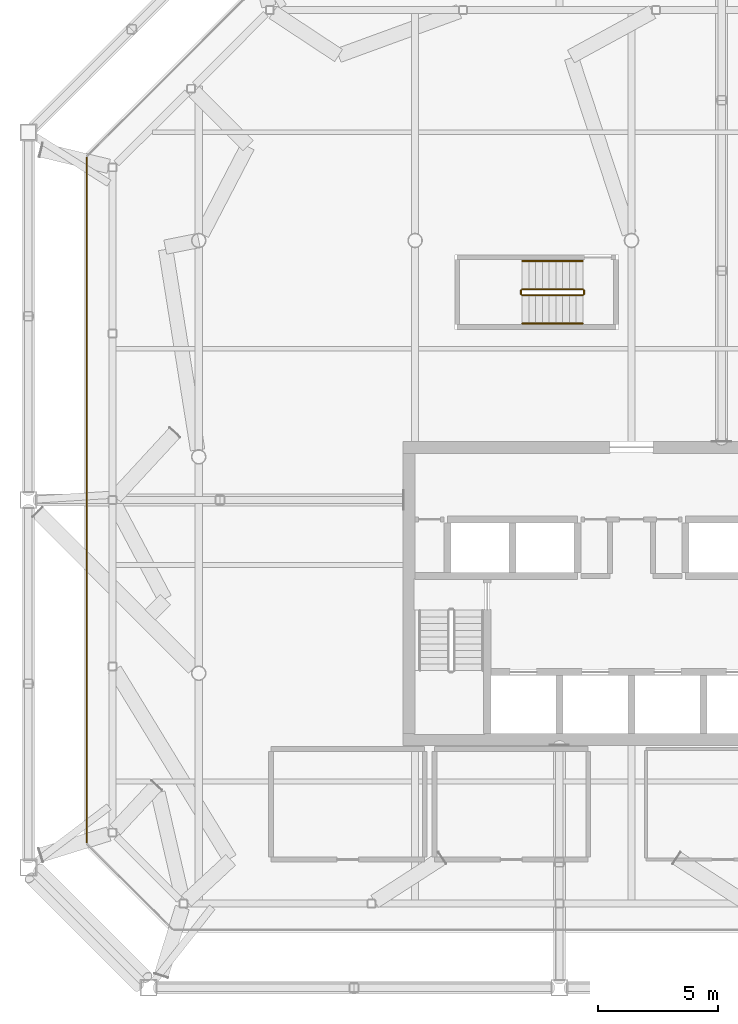
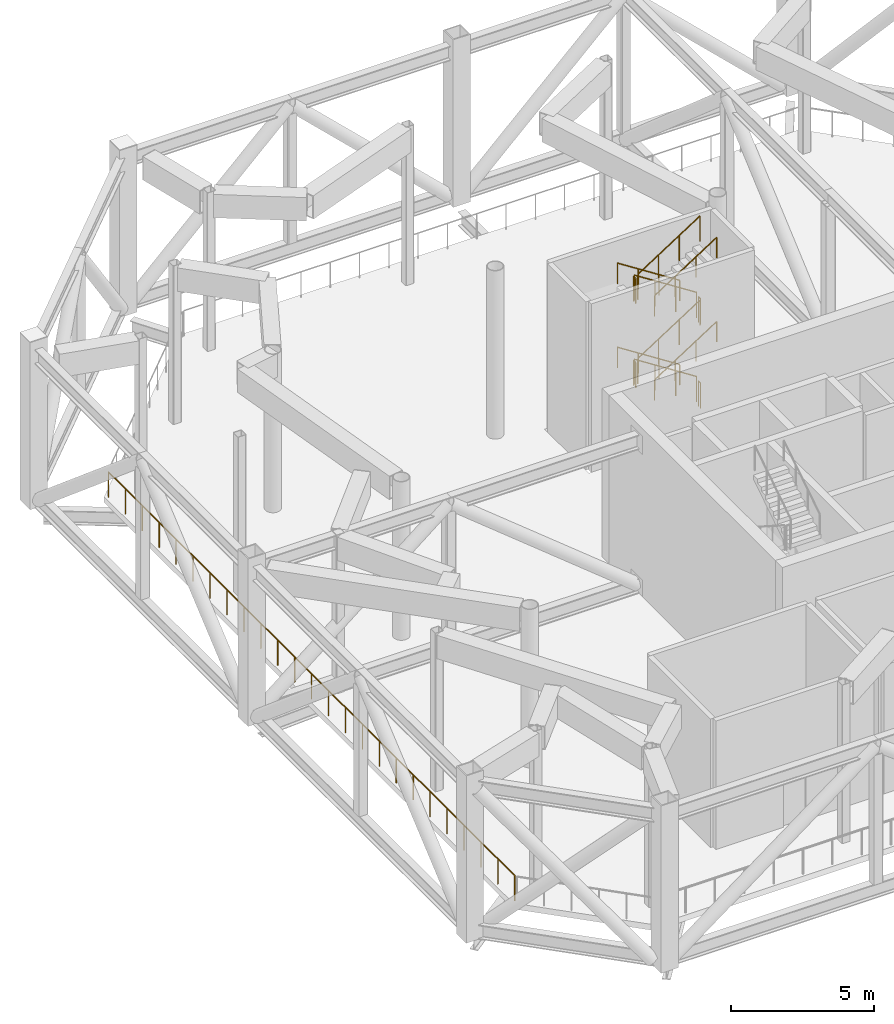
# One storey, part 15 of 17: 13 railings.
"""IFC4 building model written with IfcOpenShell, lengths in metres."""

from ifc_helpers import new_model, si_unit, direction, frame, origin, origin_2d, place, context, subcontext, project, spatial, circle, extrude, material, type_object, element, save


model = new_model("IFC4")

# Units and contexts
model_context = context("Model", 3, precision=1e-05, world=origin(), true_north=direction((0.0, 1.0)))
body_context = subcontext(model_context, "Body", "Model", "MODEL_VIEW")
ifc_project = project(units=[si_unit("LENGTHUNIT", "METRE"), si_unit("AREAUNIT", "SQUARE_METRE"), si_unit("VOLUMEUNIT", "CUBIC_METRE"), si_unit("PLANEANGLEUNIT", "RADIAN"), si_unit("MASSUNIT", "GRAM", prefix="KILO")], contexts=[model_context])

# Site, building, storey
site_placement = place(None, origin())
site = spatial("IfcSite", under=ifc_project, at=site_placement, CompositionType="ELEMENT")
building_placement = place(site_placement, origin())
building = spatial("IfcBuilding", under=site, at=building_placement, Name="Tskaro Facet Tower", CompositionType="ELEMENT")
storey_placement = place(building_placement, frame((0.0, 0.0, 210.0)))
storey = spatial("IfcBuildingStorey", under=building, at=storey_placement, Name="L54", CompositionType="ELEMENT", Elevation=210.0)

# Railings
ifc_material_1 = material(Name="Bronze anodised aluminium 6063-T6", Category="aluminium")
railing_type_1 = type_object("IfcRailingType", Name="Bronze guard rail (GD1)", PredefinedType="GUARDRAIL", material=ifc_material_1)
railing_1_placement = place(storey_placement, frame((-22.6630859375, 12.447998046875, 0.0)))
element("IfcRailing", 1, at=railing_1_placement, inside=storey, type_object=railing_type_1, Name="Guard L54", PredefinedType="GUARDRAIL", context=body_context, shape_type="SweptSolid", body=[
    extrude(circle(Radius=0.02490234375, at=origin_2d()), frame((0.0, 0.0, 1.0751953125), z_axis=(0.0, -1.0, 0.0), x_axis=(1.0, 0.0, 0.0)), (0.0, 0.0, 1.0), 28.48291015625),
    extrude(circle(Radius=0.02001953125, at=origin_2d()), origin(), (0.0, 0.0, 1.0), 1.050048828125),
    extrude(circle(Radius=0.02001953125, at=origin_2d()), frame((0.0, -1.186767578125, 0.0)), (0.0, 0.0, 1.0), 1.050048828125),
    extrude(circle(Radius=0.02001953125, at=origin_2d()), frame((0.0, -2.37353515625, 0.0)), (0.0, 0.0, 1.0), 1.050048828125),
    extrude(circle(Radius=0.02001953125, at=origin_2d()), frame((0.0, -3.560302734375, 0.0)), (0.0, 0.0, 1.0), 1.050048828125),
    extrude(circle(Radius=0.02001953125, at=origin_2d()), frame((0.0, -4.7470703125, 0.0)), (0.0, 0.0, 1.0), 1.050048828125),
    extrude(circle(Radius=0.02001953125, at=origin_2d()), frame((0.0, -5.933837890625, 0.0)), (0.0, 0.0, 1.0), 1.050048828125),
    extrude(circle(Radius=0.02001953125, at=origin_2d()), frame((0.0, -7.12060546875, 0.0)), (0.0, 0.0, 1.0), 1.050048828125),
    extrude(circle(Radius=0.02001953125, at=origin_2d()), frame((0.0, -8.3076171875, 0.0)), (0.0, 0.0, 1.0), 1.050048828125),
    extrude(circle(Radius=0.02001953125, at=origin_2d()), frame((0.0, -9.494384765625, 0.0)), (0.0, 0.0, 1.0), 1.050048828125),
    extrude(circle(Radius=0.02001953125, at=origin_2d()), frame((0.0, -10.68115234375, 0.0)), (0.0, 0.0, 1.0), 1.050048828125),
    extrude(circle(Radius=0.02001953125, at=origin_2d()), frame((0.0, -11.867919921875, 0.0)), (0.0, 0.0, 1.0), 1.050048828125),
    extrude(circle(Radius=0.02001953125, at=origin_2d()), frame((0.0, -13.0546875, 0.0)), (0.0, 0.0, 1.0), 1.050048828125),
    extrude(circle(Radius=0.02001953125, at=origin_2d()), frame((0.0, -14.241455078125, 0.0)), (0.0, 0.0, 1.0), 1.050048828125),
    extrude(circle(Radius=0.02001953125, at=origin_2d()), frame((0.0, -15.42822265625, 0.0)), (0.0, 0.0, 1.0), 1.050048828125),
    extrude(circle(Radius=0.02001953125, at=origin_2d()), frame((0.0, -16.614990234375, 0.0)), (0.0, 0.0, 1.0), 1.050048828125),
    extrude(circle(Radius=0.02001953125, at=origin_2d()), frame((0.0, -17.8017578125, 0.0)), (0.0, 0.0, 1.0), 1.050048828125),
    extrude(circle(Radius=0.02001953125, at=origin_2d()), frame((0.0, -18.988525390625, 0.0)), (0.0, 0.0, 1.0), 1.050048828125),
    extrude(circle(Radius=0.02001953125, at=origin_2d()), frame((0.0, -20.17529296875, 0.0)), (0.0, 0.0, 1.0), 1.050048828125),
    extrude(circle(Radius=0.02001953125, at=origin_2d()), frame((0.0, -21.3623046875, 0.0)), (0.0, 0.0, 1.0), 1.050048828125),
    extrude(circle(Radius=0.02001953125, at=origin_2d()), frame((0.0, -22.549072265625, 0.0)), (0.0, 0.0, 1.0), 1.050048828125),
    extrude(circle(Radius=0.02001953125, at=origin_2d()), frame((0.0, -23.73583984375, 0.0)), (0.0, 0.0, 1.0), 1.050048828125),
    extrude(circle(Radius=0.02001953125, at=origin_2d()), frame((0.0, -24.922607421875, 0.0)), (0.0, 0.0, 1.0), 1.050048828125),
    extrude(circle(Radius=0.02001953125, at=origin_2d()), frame((0.0, -26.109375, 0.0)), (0.0, 0.0, 1.0), 1.050048828125),
    extrude(circle(Radius=0.02001953125, at=origin_2d()), frame((0.0, -27.296142578125, 0.0)), (0.0, 0.0, 1.0), 1.050048828125),
    extrude(circle(Radius=0.02001953125, at=origin_2d()), frame((0.0, -28.48291015625, 0.0)), (0.0, 0.0, 1.0), 1.050048828125),
])
ifc_material_2 = material(Name="Stainless steel", Category="steel")
railing_type_2 = type_object("IfcRailingType", Name="RL-GUARD-1100", PredefinedType="GUARDRAIL", material=ifc_material_2)
railing_2_placement = place(storey_placement, frame((-2.02490234375, 6.97509765625, 0.179931640625)))
element("IfcRailing", 2, at=railing_2_placement, inside=storey, type_object=railing_type_2, Name="L54 ST-3 stair guard 1", PredefinedType="GUARDRAIL", context=body_context, shape_type="SweptSolid", body=[
    extrude(circle(Radius=0.02392578125, at=origin_2d()), frame((0.0, 0.0, 1.076171875), z_axis=(-0.841162588446, 0.0, 0.540782303519), x_axis=(0.0, -1.0, 0.0)), (0.0, 0.0, 1.0), 2.995849609375),
    extrude(circle(Radius=0.02099609375, at=origin_2d()), origin(), (0.0, 0.0, 1.0), 1.052001953125),
    extrude(circle(Radius=0.02099609375, at=origin_2d()), frame((-0.840087890625, 0.0, 0.5400390625)), (0.0, 0.0, 1.0), 1.052001953125),
    extrude(circle(Radius=0.02099609375, at=origin_2d()), frame((-1.679931640625, 0.0, 1.080078125)), (0.0, 0.0, 1.0), 1.052001953125),
    extrude(circle(Radius=0.02099609375, at=origin_2d()), frame((-2.52001953125, 0.0, 1.6201171875)), (0.0, 0.0, 1.0), 1.052001953125),
])
railing_3_placement = place(storey_placement, frame((-4.594970703125, 6.925048828125, 1.800048828125)))
element("IfcRailing", 3, at=railing_3_placement, inside=storey, type_object=railing_type_2, Name="L54 ST-3 stair guard 2", PredefinedType="GUARDRAIL", context=body_context, shape_type="SweptSolid", body=[
    extrude(circle(Radius=0.02392578125, at=origin_2d()), frame((0.0, 0.0, 1.076171875), z_axis=(0.0, -1.0, 0.0), x_axis=(1.0, 0.0, 0.0)), (0.0, 0.0, 1.0), 0.150146484375),
    extrude(circle(Radius=0.02099609375, at=origin_2d()), origin(), (0.0, 0.0, 1.0), 1.052001953125),
    extrude(circle(Radius=0.02099609375, at=origin_2d()), frame((0.0, -0.150146484375, 0.0)), (0.0, 0.0, 1.0), 1.052001953125),
])
railing_4_placement = place(storey_placement, frame((-4.544921875, 6.72509765625, 1.97998046875)))
element("IfcRailing", 4, at=railing_4_placement, inside=storey, type_object=railing_type_2, Name="L54 ST-3 stair guard 3", PredefinedType="GUARDRAIL", context=body_context, shape_type="SweptSolid", body=[
    extrude(circle(Radius=0.02392578125, at=origin_2d()), frame((0.0, 0.0, 1.076171875), z_axis=(0.841162588446, 0.0, 0.540782303519), x_axis=(0.0, 1.0, 0.0)), (0.0, 0.0, 1.0), 2.995849609375),
    extrude(circle(Radius=0.02099609375, at=origin_2d()), origin(), (0.0, 0.0, 1.0), 1.052001953125),
    extrude(circle(Radius=0.02099609375, at=origin_2d()), frame((0.840087890625, 0.0, 0.5400390625)), (0.0, 0.0, 1.0), 1.052001953125),
    extrude(circle(Radius=0.02099609375, at=origin_2d()), frame((1.679931640625, 0.0, 1.080078125)), (0.0, 0.0, 1.0), 1.052001953125),
    extrude(circle(Radius=0.02099609375, at=origin_2d()), frame((2.52001953125, 0.0, 1.6201171875)), (0.0, 0.0, 1.0), 1.052001953125),
])
railing_5_placement = place(storey_placement, frame((-1.97509765625, 6.925048828125, 3.60009765625)))
element("IfcRailing", 5, at=railing_5_placement, inside=storey, type_object=railing_type_2, Name="L54 ST-3 stair guard 4", PredefinedType="GUARDRAIL", context=body_context, shape_type="SweptSolid", body=[
    extrude(circle(Radius=0.02392578125, at=origin_2d()), frame((0.0, 0.0, 1.076171875), z_axis=(0.0, -1.0, 0.0), x_axis=(1.0, 0.0, 0.0)), (0.0, 0.0, 1.0), 0.150146484375),
    extrude(circle(Radius=0.02099609375, at=origin_2d()), origin(), (0.0, 0.0, 1.0), 1.052001953125),
    extrude(circle(Radius=0.02099609375, at=origin_2d()), frame((0.0, -0.150146484375, 0.0)), (0.0, 0.0, 1.0), 1.052001953125),
])
railing_6_placement = place(storey_placement, frame((-2.02490234375, 6.97509765625, 3.780029296875)))
element("IfcRailing", 6, at=railing_6_placement, inside=storey, type_object=railing_type_2, Name="L54 ST-3 stair guard 5", PredefinedType="GUARDRAIL", context=body_context, shape_type="SweptSolid", body=[
    extrude(circle(Radius=0.02392578125, at=origin_2d()), frame((0.0, 0.0, 1.076171875), z_axis=(-0.841199657755, 0.0, 0.540724639528), x_axis=(0.0, -1.0, 0.0)), (0.0, 0.0, 1.0), 2.995849609375),
    extrude(circle(Radius=0.02099609375, at=origin_2d()), origin(), (0.0, 0.0, 1.0), 1.052001953125),
    extrude(circle(Radius=0.02099609375, at=origin_2d()), frame((-0.840087890625, 0.0, 0.5400390625)), (0.0, 0.0, 1.0), 1.052001953125),
    extrude(circle(Radius=0.02099609375, at=origin_2d()), frame((-1.679931640625, 0.0, 1.079833984375)), (0.0, 0.0, 1.0), 1.052001953125),
    extrude(circle(Radius=0.02099609375, at=origin_2d()), frame((-2.52001953125, 0.0, 1.619873046875)), (0.0, 0.0, 1.0), 1.052001953125),
])
railing_7_placement = place(storey_placement, frame((-4.594970703125, 6.925048828125, 5.39990234375)))
element("IfcRailing", 7, at=railing_7_placement, inside=storey, type_object=railing_type_2, Name="L54 ST-3 stair guard 6", PredefinedType="GUARDRAIL", context=body_context, shape_type="SweptSolid", body=[
    extrude(circle(Radius=0.02392578125, at=origin_2d()), frame((0.0, 0.0, 1.076171875), z_axis=(0.0, -1.0, 0.0), x_axis=(1.0, 0.0, 0.0)), (0.0, 0.0, 1.0), 0.150146484375),
    extrude(circle(Radius=0.02099609375, at=origin_2d()), origin(), (0.0, 0.0, 1.0), 1.052001953125),
    extrude(circle(Radius=0.02099609375, at=origin_2d()), frame((0.0, -0.150146484375, 0.0)), (0.0, 0.0, 1.0), 1.052001953125),
])
railing_8_placement = place(storey_placement, frame((-4.544921875, 6.72509765625, 5.580078125)))
element("IfcRailing", 8, at=railing_8_placement, inside=storey, type_object=railing_type_2, Name="L54 ST-3 stair guard 7", PredefinedType="GUARDRAIL", context=body_context, shape_type="SweptSolid", body=[
    extrude(circle(Radius=0.02392578125, at=origin_2d()), frame((0.0, 0.0, 1.076171875), z_axis=(0.841199657755, 0.0, 0.540724639528), x_axis=(0.0, 1.0, 0.0)), (0.0, 0.0, 1.0), 2.995849609375),
    extrude(circle(Radius=0.02099609375, at=origin_2d()), origin(), (0.0, 0.0, 1.0), 1.052001953125),
    extrude(circle(Radius=0.02099609375, at=origin_2d()), frame((0.840087890625, 0.0, 0.5400390625)), (0.0, 0.0, 1.0), 1.052001953125),
    extrude(circle(Radius=0.02099609375, at=origin_2d()), frame((1.679931640625, 0.0, 1.079833984375)), (0.0, 0.0, 1.0), 1.052001953125),
    extrude(circle(Radius=0.02099609375, at=origin_2d()), frame((2.52001953125, 0.0, 1.619873046875)), (0.0, 0.0, 1.0), 1.052001953125),
])
railing_9_placement = place(storey_placement, frame((-1.97509765625, 6.925048828125, 0.0)))
element("IfcRailing", 9, at=railing_9_placement, inside=storey, type_object=railing_type_2, Name="L54 ST-3 stair guard 8", PredefinedType="GUARDRAIL", context=body_context, shape_type="SweptSolid", body=[
    extrude(circle(Radius=0.02392578125, at=origin_2d()), frame((0.0, 0.0, 1.076171875), z_axis=(0.0, -1.0, 0.0), x_axis=(1.0, 0.0, 0.0)), (0.0, 0.0, 1.0), 0.150146484375),
    extrude(circle(Radius=0.02099609375, at=origin_2d()), origin(), (0.0, 0.0, 1.0), 1.052001953125),
    extrude(circle(Radius=0.02099609375, at=origin_2d()), frame((0.0, -0.150146484375, 0.0)), (0.0, 0.0, 1.0), 1.052001953125),
])
railing_type_3 = type_object("IfcRailingType", Name="RL-HANDRAIL-900", PredefinedType="HANDRAIL", material=ifc_material_2)
railing_10_placement = place(storey_placement, frame((-2.02490234375, 8.14990234375, 0.179931640625)))
element("IfcRailing", 10, at=railing_10_placement, inside=storey, type_object=railing_type_3, Name="L54 ST-3 stair handrail 1", PredefinedType="HANDRAIL", context=body_context, shape_type="SweptSolid", body=[
    extrude(circle(Radius=0.02392578125, at=origin_2d()), frame((0.0, 0.0, 0.8759765625), z_axis=(-0.841162588446, 0.0, 0.540782303519), x_axis=(0.0, -1.0, 0.0)), (0.0, 0.0, 1.0), 2.995849609375),
    extrude(circle(Radius=0.02099609375, at=origin_2d()), origin(), (0.0, 0.0, 1.0), 0.851806640625),
    extrude(circle(Radius=0.02099609375, at=origin_2d()), frame((-0.840087890625, 0.0, 0.5400390625)), (0.0, 0.0, 1.0), 0.851806640625),
    extrude(circle(Radius=0.02099609375, at=origin_2d()), frame((-1.679931640625, 0.0, 1.080078125)), (0.0, 0.0, 1.0), 0.851806640625),
    extrude(circle(Radius=0.02099609375, at=origin_2d()), frame((-2.52001953125, 0.0, 1.6201171875)), (0.0, 0.0, 1.0), 0.851806640625),
])
railing_11_placement = place(storey_placement, frame((-4.544921875, 5.550048828125, 1.97998046875)))
element("IfcRailing", 11, at=railing_11_placement, inside=storey, type_object=railing_type_3, Name="L54 ST-3 stair handrail 2", PredefinedType="HANDRAIL", context=body_context, shape_type="SweptSolid", body=[
    extrude(circle(Radius=0.02392578125, at=origin_2d()), frame((0.0, 0.0, 0.8759765625), z_axis=(0.841162588446, 0.0, 0.540782303519), x_axis=(0.0, 1.0, 0.0)), (0.0, 0.0, 1.0), 2.995849609375),
    extrude(circle(Radius=0.02099609375, at=origin_2d()), origin(), (0.0, 0.0, 1.0), 0.851806640625),
    extrude(circle(Radius=0.02099609375, at=origin_2d()), frame((0.840087890625, 0.0, 0.5400390625)), (0.0, 0.0, 1.0), 0.851806640625),
    extrude(circle(Radius=0.02099609375, at=origin_2d()), frame((1.679931640625, 0.0, 1.080078125)), (0.0, 0.0, 1.0), 0.851806640625),
    extrude(circle(Radius=0.02099609375, at=origin_2d()), frame((2.52001953125, 0.0, 1.6201171875)), (0.0, 0.0, 1.0), 0.851806640625),
])
railing_12_placement = place(storey_placement, frame((-2.02490234375, 8.14990234375, 3.780029296875)))
element("IfcRailing", 12, at=railing_12_placement, inside=storey, type_object=railing_type_3, Name="L54 ST-3 stair handrail 3", PredefinedType="HANDRAIL", context=body_context, shape_type="SweptSolid", body=[
    extrude(circle(Radius=0.02392578125, at=origin_2d()), frame((0.0, 0.0, 0.8759765625), z_axis=(-0.841199657755, 0.0, 0.540724639528), x_axis=(0.0, -1.0, 0.0)), (0.0, 0.0, 1.0), 2.995849609375),
    extrude(circle(Radius=0.02099609375, at=origin_2d()), origin(), (0.0, 0.0, 1.0), 0.851806640625),
    extrude(circle(Radius=0.02099609375, at=origin_2d()), frame((-0.840087890625, 0.0, 0.5400390625)), (0.0, 0.0, 1.0), 0.851806640625),
    extrude(circle(Radius=0.02099609375, at=origin_2d()), frame((-1.679931640625, 0.0, 1.079833984375)), (0.0, 0.0, 1.0), 0.851806640625),
    extrude(circle(Radius=0.02099609375, at=origin_2d()), frame((-2.52001953125, 0.0, 1.619873046875)), (0.0, 0.0, 1.0), 0.851806640625),
])
railing_13_placement = place(storey_placement, frame((-4.544921875, 5.550048828125, 5.580078125)))
element("IfcRailing", 13, at=railing_13_placement, inside=storey, type_object=railing_type_3, Name="L54 ST-3 stair handrail 4", PredefinedType="HANDRAIL", context=body_context, shape_type="SweptSolid", body=[
    extrude(circle(Radius=0.02392578125, at=origin_2d()), frame((0.0, 0.0, 0.8759765625), z_axis=(0.841199657755, 0.0, 0.540724639528), x_axis=(0.0, 1.0, 0.0)), (0.0, 0.0, 1.0), 2.995849609375),
    extrude(circle(Radius=0.02099609375, at=origin_2d()), origin(), (0.0, 0.0, 1.0), 0.851806640625),
    extrude(circle(Radius=0.02099609375, at=origin_2d()), frame((0.840087890625, 0.0, 0.5400390625)), (0.0, 0.0, 1.0), 0.851806640625),
    extrude(circle(Radius=0.02099609375, at=origin_2d()), frame((1.679931640625, 0.0, 1.079833984375)), (0.0, 0.0, 1.0), 0.851806640625),
    extrude(circle(Radius=0.02099609375, at=origin_2d()), frame((2.52001953125, 0.0, 1.619873046875)), (0.0, 0.0, 1.0), 0.851806640625),
])

save(model, "model.ifc")
